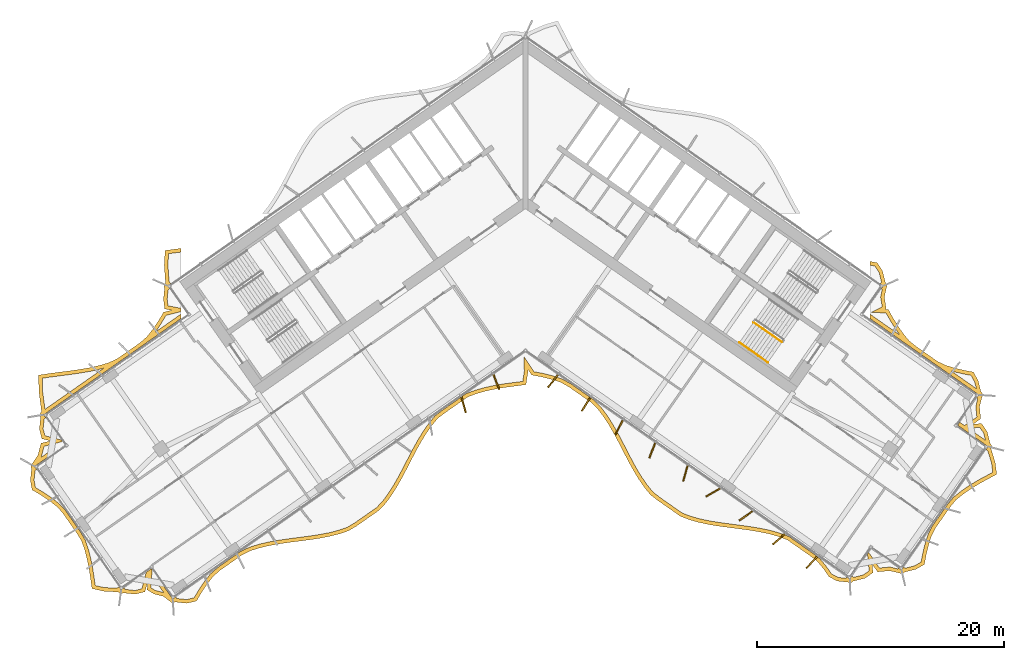
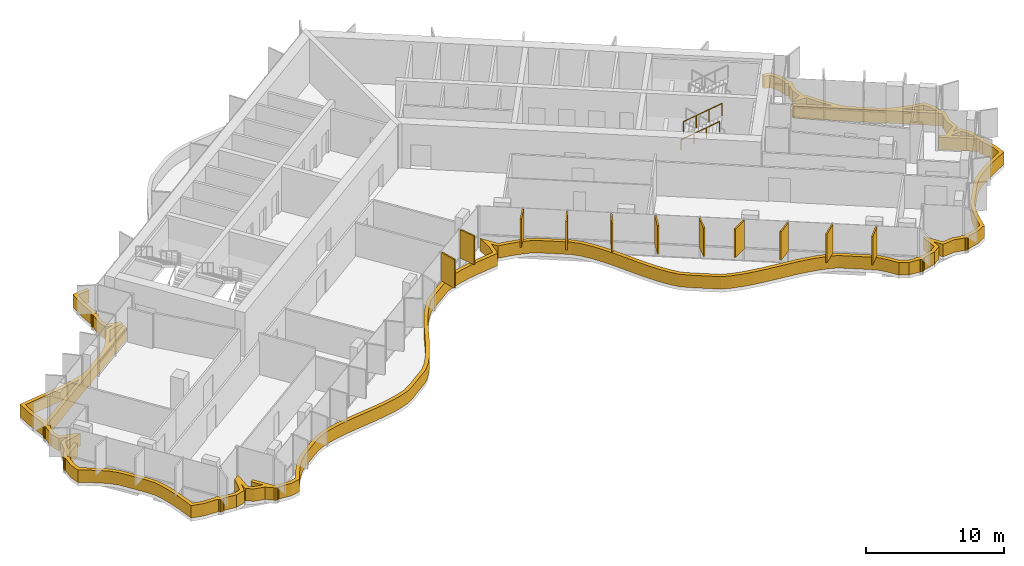
# One storey, part 19 of 21: 12 shading devices, 2 railings.
"""IFC4 building model written with IfcOpenShell, lengths in metres."""

from ifc_helpers import new_model, si_unit, direction, frame, origin, origin_2d, place, context, subcontext, project, spatial, polyline, rectangle, circle, outline, extrude, material, layer, layer_set, type_object, element, save


model = new_model("IFC4")

# Units and contexts
model_context = context("Model", 3, precision=1e-05, world=origin(), true_north=direction((0.0, 1.0)))
body_context = subcontext(model_context, "Body", "Model", "MODEL_VIEW")
ifc_project = project(units=[si_unit("LENGTHUNIT", "METRE"), si_unit("AREAUNIT", "SQUARE_METRE"), si_unit("VOLUMEUNIT", "CUBIC_METRE"), si_unit("PLANEANGLEUNIT", "RADIAN"), si_unit("MASSUNIT", "GRAM", prefix="KILO")], contexts=[model_context])

# Site, building, storey
site_placement = place(None, origin())
site = spatial("IfcSite", under=ifc_project, at=site_placement, CompositionType="ELEMENT")
building_placement = place(site_placement, origin())
building = spatial("IfcBuilding", under=site, at=building_placement, Name="Tel Ilan Convention Tower", CompositionType="ELEMENT")
storey_placement = place(building_placement, frame((0.0, 0.0, 151.5)))
storey = spatial("IfcBuildingStorey", under=building, at=storey_placement, Name="L34", CompositionType="ELEMENT", Elevation=151.5)

# Shading devices
ifc_material_1 = material(Name="Aluminium, bronze anodised", Category="aluminium")
ifc_layer_1 = layer(ifc_material_1, 0.1201171875)
ifc_layer_set_1 = layer_set([ifc_layer_1], Name="FIN BRONZE 1300x120")
shading_device_type_1 = type_object("IfcShadingDeviceType", Name="FIN BRONZE 1300x120", PredefinedType="USERDEFINED", material=ifc_layer_set_1)
for number, where, z_axis, x_axis, name in (
    (1, (-5.004638671875, -17.094482421875, 1.10009765625), (0.0, 0.0, 1.0), (0.268172612768, -0.963370878614, 0.0), "FIN"),
    (2, (-2.35302734375, -15.2529296875, 1.10009765625), (0.0, 0.0, 1.0), (0.360177724803, -0.932883704733, 0.0), "FIN"),
    (3, (2.2255859375, -15.172119140625, 1.10009765625), (0.0, 0.0, 1.0), (-0.612600545196, -0.790392669516, 0.0), "FIN"),
    (4, (4.90234375, -17.04638671875, 1.10009765625), (0.0, 0.0, 1.0), (-0.533204432798, -0.845986425922, 0.0), "FIN"),
    (5, (7.5791015625, -18.920166015625, 1.10009765625), (0.0, 0.0, 1.0), (-0.448799180206, -0.893632640321, 0.0), "FIN"),
    (6, (10.2587890625, -20.78857421875, 1.10009765625), (0.0, 0.0, 1.0), (-0.360177724803, -0.932883704733, 0.0), "FIN"),
    (7, (12.9404296875, -22.651123046875, 1.10009765625), (0.0, 0.0, 1.0), (-0.268172612768, -0.963370878614, 0.0), "FIN"),
    (8, (15.174072265625, -24.192626953125, 1.10009765625), (0.0, 0.0, 1.0), (-0.866025403784, -0.5, 0.0), "FIN"),
    (9, (17.83642578125, -26.079345703125, 1.10009765625), (0.0, 0.0, 1.0), (-0.813552070258, -0.581492071294, 0.0), "FIN"),
    (10, (20.50390625, -27.96240234375, 1.10009765625), (0.0, 0.0, 1.0), (-0.753435896329, -0.657521368568, 0.0), "FIN"),
    (11, (23.176025390625, -29.84130859375, 1.10009765625), (0.0, 0.0, 1.0), (-0.686241637865, -0.727373641577, 0.0), "FIN"),
):
    element("IfcShadingDevice", number, at=place(storey_placement, frame(where, z_axis=z_axis, x_axis=x_axis)), inside=storey, type_object=shading_device_type_1, Name=name, ObjectType="FIN", PredefinedType="USERDEFINED", context=body_context, shape_type="SweptSolid", body=[
        extrude(rectangle(XDim=1.300048828125, YDim=0.1201171875, at=origin_2d()), origin(), (0.0, 0.0, 1.0), 2.52001953125),
    ])
ifc_material_2 = material(Name="Aluminium, bronze anodised", Category="aluminium")
ifc_layer_2 = layer(ifc_material_2, 0.300048828125)
ifc_layer_set_2 = layer_set([ifc_layer_2], Name="LOUVRE BAND 300x1100")
shading_device_type_2 = type_object("IfcShadingDeviceType", Name="LOUVRE BAND 300x1100", PredefinedType="USERDEFINED", material=ifc_layer_set_2)
shading_device_placement = place(storey_placement, origin())
element("IfcShadingDevice", 12, at=shading_device_placement, inside=storey, type_object=shading_device_type_2, Name="LOUVRE BAND 27.01", ObjectType="LOUVRE", PredefinedType="USERDEFINED", context=body_context, shape_type="SweptSolid", body=[
    extrude(outline(polyline([(-40.0625, -23.190673828125), (-39.92822265625, -23.97265625), (-39.250732421875, -24.374267578125), (-38.60546875, -24.798583984375), (-38.006591796875, -25.25537109375), (-37.49755859375, -25.77490234375), (-36.2626953125, -27.53857421875), (-35.8984375, -28.15966796875), (-35.6572265625, -28.86669921875), (-35.46484375, -29.608154296875), (-35.312744140625, -30.377685546875), (-35.189697265625, -31.167724609375), (-35.07666015625, -31.964599609375), (-34.1298828125, -32.177734375), (-32.96484375, -32.238037109375), (-32.93603515625, -32.281494140625), (-32.838623046875, -32.346435546875), (-32.723876953125, -32.369384765625), (-32.609130859375, -32.346435546875), (-32.554931640625, -32.310302734375), (-31.562744140625, -32.420166015625), (-30.788818359375, -32.2177734375), (-30.573974609375, -31.399658203125), (-30.615234375, -32.057861328125), (-30.059814453125, -32.4013671875), (-29.2880859375, -32.593505859375), (-28.79150390625, -32.97802734375), (-28.786865234375, -32.974853515625), (-28.7578125, -33.01806640625), (-28.660400390625, -33.083251953125), (-28.545654296875, -33.10595703125), (-28.430908203125, -33.083251953125), (-28.376953125, -33.047119140625), (-27.396728515625, -33.154296875), (-26.6201171875, -32.970703125), (-26.2060546875, -32.269287109375), (-25.76416015625, -31.607666015625), (-25.286865234375, -30.996826171875), (-24.7294921875, -30.500244140625), (-22.907470703125, -29.224365234375), (-22.2314453125, -28.89697265625), (-21.48779296875, -28.666259765625), (-20.7099609375, -28.484619140625), (-19.905029296875, -28.34130859375), (-19.08251953125, -28.2236328125), (-17.421875, -28.009765625), (-16.60400390625, -27.885009765625), (-15.80712890625, -27.73046875), (-15.039794921875, -27.533935546875), (-14.308837890625, -27.284912109375), (-13.6689453125, -26.906005859375), (-11.846923828125, -25.63037109375), (-11.327880859375, -25.078857421875), (-10.86279296875, -24.4501953125), (-10.43115234375, -23.7744140625), (-10.024658203125, -23.06201171875), (-9.634765625, -22.326171875), (-8.864990234375, -20.84033203125), (-8.46533203125, -20.118408203125), (-8.043212890625, -19.428466796875), (-7.59033203125, -18.782470703125), (-7.10009765625, -18.190185546875), (-6.5087890625, -17.741943359375), (-4.686767578125, -16.466064453125), (-3.97021484375, -16.19677734375), (-3.214599609375, -15.983154296875), (-2.427001953125, -15.8154296875), (-1.615234375, -15.681884765625), (0.04248046875, -15.464111328125), (0.2060546875, -14.405029296875), (0.201416015625, -14.22314453125), (0.51220703125, -14.685546875), (1.31689453125, -14.835693359375), (2.093017578125, -15.0263671875), (2.833251953125, -15.268798828125), (3.490966796875, -15.62890625), (5.322509765625, -16.9111328125), (5.858154296875, -17.445556640625), (6.329833984375, -18.071533203125), (6.76708984375, -18.74658203125), (7.177734375, -19.45947265625), (7.57080078125, -20.197509765625), (8.343994140625, -21.69189453125), (8.744384765625, -22.41943359375), (9.166748046875, -23.11572265625), (9.61962890625, -23.768310546875), (10.110107421875, -24.3671875), (10.698486328125, -24.826171875), (12.530029296875, -26.108642578125), (13.245361328125, -26.386474609375), (14.003662109375, -26.602783203125), (14.794677734375, -26.7724609375), (15.610107421875, -26.9072265625), (18.10791015625, -27.238525390625), (18.924072265625, -27.3720703125), (19.716064453125, -27.54052734375), (20.475830078125, -27.7548828125), (21.19580078125, -28.02587890625), (23.02734375, -29.308349609375), (23.619384765625, -29.76220703125), (24.111328125, -30.35888671875), (24.565673828125, -31.009765625), (25.2314453125, -31.358154296875), (26.083251953125, -31.441162109375), (26.13720703125, -31.47705078125), (26.251953125, -31.5), (26.366943359375, -31.47705078125), (26.464111328125, -31.412109375), (26.4931640625, -31.368896484375), (27.463134765625, -31.132568359375), (28.12109375, -30.677734375), (28.056396484375, -29.976806640625), (28.4951171875, -30.611572265625), (29.47412109375, -30.52099609375), (30.258056640625, -30.708984375), (30.261474609375, -30.704345703125), (30.3154296875, -30.740478515625), (30.43017578125, -30.76318359375), (30.544921875, -30.740478515625), (30.642333984375, -30.67529296875), (30.67138671875, -30.632080078125), (31.5947265625, -30.402587890625), (32.283447265625, -30.0087890625), (32.42919921875, -29.234619140625), (32.607177734375, -28.483154296875), (32.83154296875, -27.764404296875), (33.145751953125, -27.108154296875), (34.380615234375, -25.344482421875), (34.83984375, -24.7900390625), (35.421630859375, -24.3212890625), (36.052734375, -23.88720703125), (36.7236328125, -23.48095703125), (37.423828125, -23.09521484375), (38.134033203125, -22.71630859375), (38.010498046875, -21.753662109375), (37.6689453125, -20.638427734375), (37.705078125, -20.58447265625), (37.727783203125, -20.4697265625), (37.705078125, -20.354736328125), (37.639892578125, -20.257568359375), (37.5966796875, -20.228515625), (37.3603515625, -19.258544921875), (36.905517578125, -18.6005859375), (36.20458984375, -18.665283203125), (36.839599609375, -18.2265625), (36.748779296875, -17.24755859375), (36.936767578125, -16.463623046875), (36.93212890625, -16.460205078125), (36.96826171875, -16.40625), (36.9912109375, -16.29150390625), (36.96826171875, -16.1767578125), (36.9033203125, -16.079345703125), (36.85986328125, -16.05029296875), (36.63134765625, -15.134521484375), (36.246826171875, -14.44140625), (35.47900390625, -14.2958984375), (34.732177734375, -14.1201171875), (34.017333984375, -13.899169921875), (33.361328125, -13.59375), (31.6103515625, -12.36767578125), (31.052978515625, -11.921630859375), (30.5849609375, -11.347900390625), (30.151123046875, -10.72509765625), (29.74560546875, -10.06201171875), (29.356201171875, -9.3759765625), (29.132080078125, -9.36474609375), (29.19384765625, -9.332763671875), (29.044921875, -8.373779296875), (29.20458984375, -7.631103515625), (29.199951171875, -7.6279296875), (29.236083984375, -7.57373046875), (29.2587890625, -7.458984375), (29.236083984375, -7.34423828125), (29.1708984375, -7.246826171875), (29.127685546875, -7.218017578125), (28.894287109375, -6.267333984375), (28.465576171875, -5.595458984375), (27.874755859375, -5.485595703125), (27.874755859375, -5.790771484375), (28.28271484375, -5.86669921875), (28.614990234375, -6.387451171875), (28.806640625, -7.1533203125), (28.713134765625, -7.286865234375), (28.958740234375, -7.458984375), (28.787353515625, -7.705322265625), (28.869384765625, -7.7626953125), (28.73974609375, -8.364990234375), (28.8642578125, -9.165283203125), (28.0048828125, -9.60888671875), (29.1767578125, -9.66748046875), (29.4873046875, -10.21435546875), (29.89990234375, -10.88916015625), (30.281494140625, -11.43701171875), (27.874755859375, -9.751953125), (27.874755859375, -10.1181640625), (36.691162109375, -16.29150390625), (36.51904296875, -16.537109375), (36.597412109375, -16.592041015625), (36.445556640625, -17.225830078125), (36.524658203125, -18.07958984375), (35.524658203125, -18.770751953125), (35.142578125, -18.503173828125), (34.970458984375, -18.748779296875), (37.427734375, -20.4697265625), (37.255859375, -20.71533203125), (37.41650390625, -20.827880859375), (37.716064453125, -21.816650390625), (37.810302734375, -22.549072265625), (36.573486328125, -23.22119140625), (35.889892578125, -23.635009765625), (35.2421875, -24.08056640625), (34.6279296875, -24.575439453125), (34.141845703125, -25.16259765625), (32.8857421875, -26.956298828125), (32.551513671875, -27.654296875), (32.317626953125, -28.40380859375), (32.1357421875, -29.17236328125), (32.014404296875, -29.817138671875), (31.481201171875, -30.121826171875), (30.7353515625, -30.310791015625), (30.602294921875, -30.217529296875), (30.43017578125, -30.46337890625), (30.18408203125, -30.291748046875), (30.129638671875, -30.36962890625), (29.495849609375, -30.2177734375), (28.64208984375, -30.296875), (27.76904296875, -29.03369140625), (27.679443359375, -29.161376953125), (27.806396484375, -30.530517578125), (27.337646484375, -30.8544921875), (26.55810546875, -31.048095703125), (26.424072265625, -30.954345703125), (26.251953125, -31.199951171875), (26.005859375, -31.028564453125), (25.935302734375, -31.129150390625), (25.319580078125, -31.065673828125), (24.76953125, -30.77783203125), (24.3505859375, -30.177490234375), (23.8291015625, -29.544921875), (23.204833984375, -29.06640625), (21.3369140625, -27.758544921875), (20.569580078125, -27.469482421875), (19.7880859375, -27.2490234375), (18.9794921875, -27.077392578125), (18.15234375, -26.941650390625), (15.65478515625, -26.610595703125), (14.8505859375, -26.477783203125), (14.076416015625, -26.3115234375), (13.341064453125, -26.101806640625), (12.67236328125, -25.842041015625), (10.876953125, -24.5849609375), (10.321044921875, -24.1513671875), (9.859375, -23.58740234375), (9.41845703125, -22.9521484375), (9.004150390625, -22.269287109375), (8.608642578125, -21.55029296875), (7.83642578125, -20.058349609375), (7.440185546875, -19.31396484375), (7.02294921875, -18.590087890625), (6.575927734375, -17.8994140625), (6.085205078125, -17.248046875), (5.515869140625, -16.680419921875), (3.649658203125, -15.37353515625), (2.953125, -14.9921875), (2.17578125, -14.73779296875), (1.380126953125, -14.542236328125), (0.69091796875, -14.41357421875), (-0.12451171875, -13.200439453125), (-0.0947265625, -14.3857421875), (-0.219482421875, -15.19482421875), (-1.659912109375, -15.38525390625), (-2.482666015625, -15.5205078125), (-3.286865234375, -15.691650390625), (-4.06396484375, -15.911376953125), (-4.827880859375, -16.198486328125), (-6.685546875, -17.49951171875), (-7.308837890625, -17.97216796875), (-7.8291015625, -18.6005859375), (-8.294189453125, -19.263916015625), (-8.724609375, -19.96728515625), (-9.12939453125, -20.6982421875), (-9.900634765625, -22.1875), (-10.28759765625, -22.91748046875), (-10.68798828125, -23.619140625), (-11.110107421875, -24.280029296875), (-11.55859375, -24.88623046875), (-12.044189453125, -25.40234375), (-13.831787109375, -26.65380859375), (-14.43505859375, -27.010986328125), (-15.12548828125, -27.24609375), (-15.873046875, -27.437744140625), (-16.6552734375, -27.58935546875), (-17.4638671875, -27.712646484375), (-19.12255859375, -27.92626953125), (-19.95263671875, -28.045166015625), (-20.770263671875, -28.190673828125), (-21.56640625, -28.376708984375), (-22.341796875, -28.6171875), (-23.059814453125, -28.96484375), (-24.916015625, -30.264404296875), (-25.506591796875, -30.790771484375), (-26.007568359375, -31.431884765625), (-26.460205078125, -32.109619140625), (-26.8134765625, -32.708251953125), (-27.416015625, -32.8505859375), (-28.206298828125, -32.767578125), (-28.2998046875, -32.634033203125), (-28.545654296875, -32.805908203125), (-29.57861328125, -31.3310546875), (-29.82421875, -31.5029296875), (-29.27490234375, -32.28759765625), (-29.94189453125, -32.12158203125), (-30.3046875, -31.897216796875), (-30.21240234375, -30.42578125), (-30.266357421875, -30.3486328125), (-30.685302734375, -30.641845703125), (-31.034423828125, -31.971923828125), (-31.58544921875, -32.115966796875), (-32.38427734375, -32.03125), (-32.4775390625, -31.89794921875), (-32.723876953125, -32.0693359375), (-32.89599609375, -31.823486328125), (-33.056640625, -31.93603515625), (-34.08837890625, -31.87939453125), (-34.80859375, -31.71728515625), (-35.017333984375, -30.325439453125), (-35.17236328125, -29.54150390625), (-35.36962890625, -28.780517578125), (-35.624267578125, -28.033935546875), (-36.010009765625, -27.376220703125), (-37.265869140625, -25.58251953125), (-37.807373046875, -25.02978515625), (-38.431884765625, -24.5537109375), (-39.091796875, -24.119873046875), (-39.656005859375, -23.78515625), (-39.760009765625, -23.18017578125), (-39.6826171875, -22.41455078125), (-39.54931640625, -22.3212890625), (-39.721435546875, -22.07568359375), (-38.288330078125, -21.072021484375), (-38.460205078125, -20.826416015625), (-39.223388671875, -21.360595703125), (-39.171142578125, -21.28173828125), (-38.953369140625, -20.452392578125), (-37.4677734375, -20.06396484375), (-37.557373046875, -19.93603515625), (-38.88720703125, -19.5869140625), (-39.031494140625, -19.035888671875), (-38.946533203125, -18.237060546875), (-38.812744140625, -18.143310546875), (-38.98486328125, -17.8974609375), (-27.874755859375, -10.1181640625), (-27.874755859375, -9.751953125), (-29.952392578125, -11.20654296875), (-29.906005859375, -11.14794921875), (-29.44873046875, -10.4658203125), (-29.09033203125, -9.859375), (-27.874755859375, -9.551025390625), (-27.874755859375, -9.287353515625), (-28.923828125, -9.080322265625), (-28.992431640625, -8.5439453125), (-28.91943359375, -7.797607421875), (-28.787353515625, -7.705322265625), (-28.958740234375, -7.458984375), (-28.713134765625, -7.286865234375), (-28.83740234375, -7.109375), (-28.93115234375, -5.783447265625), (-28.876953125, -4.86572265625), (-27.874755859375, -4.735107421875), (-27.874755859375, -4.4326171875), (-29.161865234375, -4.60107421875), (-29.231689453125, -5.78515625), (-29.127685546875, -7.218017578125), (-29.1708984375, -7.246826171875), (-29.236083984375, -7.34423828125), (-29.2587890625, -7.458984375), (-29.236083984375, -7.57373046875), (-29.199951171875, -7.6279296875), (-29.29443359375, -8.548583984375), (-29.19384765625, -9.332763671875), (-28.654541015625, -9.439208984375), (-29.284912109375, -9.59912109375), (-29.70263671875, -10.305908203125), (-30.14892578125, -10.971435546875), (-30.631591796875, -11.5849609375), (-31.197998046875, -12.078857421875), (-33.03466796875, -13.364990234375), (-33.72509765625, -13.68212890625), (-34.477783203125, -13.91015625), (-35.2646484375, -14.089111328125), (-36.078125, -14.23046875), (-36.90869140625, -14.34716796875), (-38.58203125, -14.563720703125), (-39.404052734375, -14.692626953125), (-39.369873046875, -16.044677734375), (-39.153564453125, -17.656494140625), (-39.19677734375, -17.685302734375), (-39.261962890625, -17.78271484375), (-39.28466796875, -17.8974609375), (-39.261962890625, -18.01220703125), (-39.225830078125, -18.066162109375), (-39.33544921875, -19.05859375), (-39.133056640625, -19.83251953125), (-38.452392578125, -20.01123046875), (-39.19921875, -20.20654296875), (-39.44873046875, -21.157470703125), (-39.8935546875, -21.829833984375), (-39.890380859375, -21.83447265625), (-39.93359375, -21.863525390625), (-39.99853515625, -21.9609375), (-40.021484375, -22.07568359375), (-39.99853515625, -22.1904296875), (-39.962646484375, -22.244384765625), (-40.0625, -23.190673828125)]), holes=[polyline([(36.758544921875, -18.915283203125), (37.082275390625, -19.384033203125), (37.225830078125, -19.9619140625), (35.85107421875, -18.999267578125), (36.758544921875, -18.915283203125)]), polyline([(34.4267578125, -14.33984375), (34.653564453125, -14.409912109375), (35.416748046875, -14.58935546875), (36.052734375, -14.7099609375), (36.35009765625, -15.24609375), (36.486572265625, -15.781982421875), (34.4267578125, -14.33984375)]), polyline([(-35.205810546875, -14.383544921875), (-34.40087890625, -14.200439453125), (-34.095703125, -14.10791015625), (-38.8798828125, -17.457763671875), (-39.0703125, -16.02099609375), (-39.097412109375, -14.9482421875), (-38.5390625, -14.860595703125), (-36.869140625, -14.64453125), (-36.031494140625, -14.52685546875), (-35.205810546875, -14.383544921875)])]), origin(), (0.0, 0.0, 1.0), 1.10009765625),
])

# Railings
ifc_material_3 = material(Name="Stainless Steel Grade 316", Category="steel")
railing_type_1 = type_object("IfcRailingType", Name="Stainless Steel Stair Guard 1100 mm", PredefinedType="GUARDRAIL", material=ifc_material_3)
railing_1_placement = place(storey_placement, frame((18.4599609375, -10.423095703125, 2.127197265625)))
element("IfcRailing", 13, at=railing_1_placement, inside=storey, type_object=railing_type_1, Name="L34 S4 stair guard 3", PredefinedType="GUARDRAIL", context=body_context, shape_type="SweptSolid", body=[
    extrude(circle(Radius=0.02392578125, at=origin_2d()), frame((0.0, 0.0, 1.076171875), z_axis=(0.692098378994, -0.484653031975, 0.534893701956), x_axis=(0.573608623498, 0.819129505664, 0.0)), (0.0, 0.0, 1.0), 3.314208984375),
    extrude(circle(Radius=0.02099609375, at=origin_2d()), origin(), (0.0, 0.0, 1.0), 1.052001953125),
    extrude(circle(Radius=0.02099609375, at=origin_2d()), frame((0.7646484375, -0.535400390625, 0.5908203125)), (0.0, 0.0, 1.0), 1.052001953125),
    extrude(circle(Radius=0.02099609375, at=origin_2d()), frame((1.529052734375, -1.07080078125, 1.181884765625)), (0.0, 0.0, 1.0), 1.052001953125),
    extrude(circle(Radius=0.02099609375, at=origin_2d()), frame((2.293701171875, -1.606201171875, 1.772705078125)), (0.0, 0.0, 1.0), 1.052001953125),
])
ifc_material_4 = material(Name="Stainless Steel Grade 316", Category="steel")
railing_type_2 = type_object("IfcRailingType", Name="Stainless Steel Stair Handrail 900 mm", PredefinedType="HANDRAIL", material=ifc_material_4)
railing_2_placement = place(storey_placement, frame((17.312744140625, -12.0615234375, 2.127197265625)))
element("IfcRailing", 14, at=railing_2_placement, inside=storey, type_object=railing_type_2, Name="L34 S4 stair handrail 2", PredefinedType="HANDRAIL", context=body_context, shape_type="SweptSolid", body=[
    extrude(circle(Radius=0.02392578125, at=origin_2d()), frame((0.0, 0.0, 0.8759765625), z_axis=(0.692123088272, -0.484596665743, 0.534912798717), x_axis=(0.573550118428, 0.819170471667, 0.0)), (0.0, 0.0, 1.0), 3.31396484375),
    extrude(circle(Radius=0.02099609375, at=origin_2d()), origin(), (0.0, 0.0, 1.0), 0.851806640625),
    extrude(circle(Radius=0.02099609375, at=origin_2d()), frame((0.7646484375, -0.535400390625, 0.5908203125)), (0.0, 0.0, 1.0), 0.851806640625),
    extrude(circle(Radius=0.02099609375, at=origin_2d()), frame((1.529052734375, -1.070556640625, 1.181884765625)), (0.0, 0.0, 1.0), 0.851806640625),
    extrude(circle(Radius=0.02099609375, at=origin_2d()), frame((2.293701171875, -1.60595703125, 1.772705078125)), (0.0, 0.0, 1.0), 0.851806640625),
])

save(model, "model.ifc")
